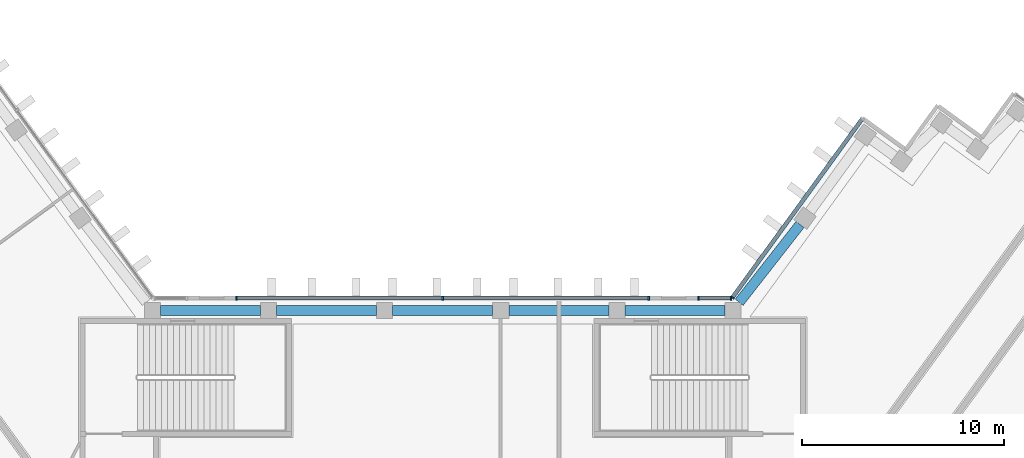
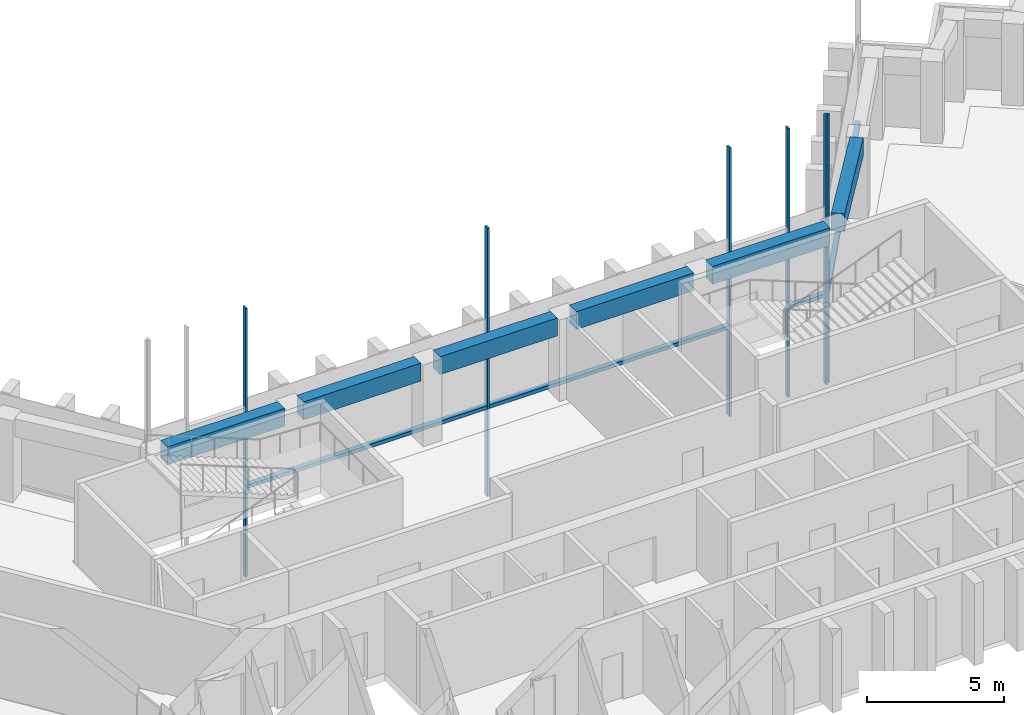
# One storey, part 3 of 12: 10 members, 6 beams, 3 elements without a shape of their own.
"""IFC4 building model written with IfcOpenShell, lengths in metres."""

from ifc_helpers import new_model, si_unit, direction, frame, origin, origin_2d, place, context, subcontext, project, spatial, rectangle, extrude, material, material_profile, profile_set, type_object, element, aggregate, save


model = new_model("IFC4")

# Units and contexts
model_context = context("Model", 3, precision=1e-05, world=origin(), true_north=direction((0.0, 1.0)))
body_context = subcontext(model_context, "Body", "Model", "MODEL_VIEW")
ifc_project = project(units=[si_unit("LENGTHUNIT", "METRE"), si_unit("AREAUNIT", "SQUARE_METRE"), si_unit("VOLUMEUNIT", "CUBIC_METRE"), si_unit("PLANEANGLEUNIT", "RADIAN"), si_unit("MASSUNIT", "GRAM", prefix="KILO")], contexts=[model_context])

# Site, building, storey
site_placement = place(None, origin())
site = spatial("IfcSite", under=ifc_project, at=site_placement, CompositionType="ELEMENT")
building_placement = place(site_placement, origin())
building = spatial("IfcBuilding", under=site, at=building_placement, Name="Quipu Civic Tower", CompositionType="ELEMENT")
storey_placement = place(building_placement, frame((0.0, 0.0, 222.0)))
storey = spatial("IfcBuildingStorey", under=building, at=storey_placement, Name="L52", CompositionType="ELEMENT", Elevation=222.0)

# Curtain wall, member
ifc_material_1 = material(Name="Insulated glass unit", Category="glass")
curtain_wall_type = type_object("IfcCurtainWallType", Name="Office curtain wall CW1", PredefinedType="NOTDEFINED", material=ifc_material_1)
curtain_wall_1_placement = place(storey_placement, origin())
curtain_wall_1 = element("IfcCurtainWall", 1, at=curtain_wall_1_placement, inside=storey, type_object=curtain_wall_type, Name="Office curtain wall CW1 L51 run 26", PredefinedType="NOTDEFINED")
ifc_material_2 = material(Name="Anodised aluminium", Category="aluminium")
ifc_material_profile_1 = material_profile(ifc_material_2, rectangle(XDim=0.199951171875, YDim=0.080078125, at=origin_2d()), Name="RECT 200x80")
ifc_profile_set_1 = profile_set([ifc_material_profile_1], Name="Anodised aluminium")
member_type_1 = type_object("IfcMemberType", Name="Mullion CW1", PredefinedType="MULLION", material=ifc_profile_set_1)
member_1_placement = place(storey_placement, frame((14.36767578125, 11.13232421875, -3.919921875), z_axis=(0.0, 0.0, 1.0), x_axis=(0.809015163947, -0.587787771652, 0.0)))
member_1 = element("IfcMember", 2, at=member_1_placement, type_object=member_type_1, Name="CW1 mullion 2", PredefinedType="MULLION", context=body_context, shape_type="SweptSolid", body=[
    extrude(rectangle(XDim=0.199951171875, YDim=0.080078125, at=origin_2d()), origin(), (0.0, 0.0, 1.0), 12.0),
])

# Curtain wall, members
curtain_wall_2_placement = place(storey_placement, origin())
curtain_wall_2 = element("IfcCurtainWall", 3, at=curtain_wall_2_placement, inside=storey, type_object=curtain_wall_type, Name="Office curtain wall CW1 L51 run 27", PredefinedType="NOTDEFINED")
member_2_placement = place(storey_placement, frame((14.30419921875, 11.10009765625, -3.919921875), z_axis=(0.0, 0.0, 1.0), x_axis=(0.0, -1.0, 0.0)))
member_2 = element("IfcMember", 4, at=member_2_placement, type_object=member_type_1, Name="CW1 mullion 1", PredefinedType="MULLION", context=body_context, shape_type="SweptSolid", body=[
    extrude(rectangle(XDim=0.199951171875, YDim=0.080078125, at=origin_2d()), origin(), (0.0, 0.0, 1.0), 12.0),
])
member_3_placement = place(storey_placement, frame((12.695068359375, 11.10009765625, -3.919921875), z_axis=(0.0, 0.0, 1.0), x_axis=(0.0, -1.0, 0.0)))
member_3 = element("IfcMember", 5, at=member_3_placement, type_object=member_type_1, Name="CW1 mullion 2", PredefinedType="MULLION", context=body_context, shape_type="SweptSolid", body=[
    extrude(rectangle(XDim=0.199951171875, YDim=0.080078125, at=origin_2d()), origin(), (0.0, 0.0, 1.0), 12.0),
])

curtain_wall_3_placement = place(storey_placement, origin())
curtain_wall_3 = element("IfcCurtainWall", 6, at=curtain_wall_3_placement, inside=storey, type_object=curtain_wall_type, Name="Office curtain wall CW1 L51 run 29", PredefinedType="NOTDEFINED")
member_4_placement = place(storey_placement, frame((10.223388671875, 11.10009765625, -3.919921875), z_axis=(0.0, 0.0, 1.0), x_axis=(0.0, -1.0, 0.0)))
member_4 = element("IfcMember", 7, at=member_4_placement, type_object=member_type_1, Name="CW1 mullion 1", PredefinedType="MULLION", context=body_context, shape_type="SweptSolid", body=[
    extrude(rectangle(XDim=0.199951171875, YDim=0.080078125, at=origin_2d()), origin(), (0.0, 0.0, 1.0), 12.0),
])
member_5_placement = place(storey_placement, frame((0.0, 11.10009765625, -3.919921875), z_axis=(0.0, 0.0, 1.0), x_axis=(0.0, -1.0, 0.0)))
member_5 = element("IfcMember", 8, at=member_5_placement, type_object=member_type_1, Name="CW1 mullion 2", PredefinedType="MULLION", context=body_context, shape_type="SweptSolid", body=[
    extrude(rectangle(XDim=0.199951171875, YDim=0.080078125, at=origin_2d()), origin(), (0.0, 0.0, 1.0), 12.0),
])
member_6_placement = place(storey_placement, frame((-10.223388671875, 11.10009765625, -3.919921875), z_axis=(0.0, 0.0, 1.0), x_axis=(0.0, -1.0, 0.0)))
member_6 = element("IfcMember", 9, at=member_6_placement, type_object=member_type_1, Name="CW1 mullion 3", PredefinedType="MULLION", context=body_context, shape_type="SweptSolid", body=[
    extrude(rectangle(XDim=0.199951171875, YDim=0.080078125, at=origin_2d()), origin(), (0.0, 0.0, 1.0), 12.0),
])

# Beams
ifc_material_3 = material(Name="Concrete C50/60", Category="concrete")
ifc_material_profile_2 = material_profile(ifc_material_3, rectangle(XDim=0.5, YDim=0.800048828125, at=origin_2d()), Name="RC500x800")
ifc_profile_set_2 = profile_set([ifc_material_profile_2], Name="Concrete C50/60")
beam_type = type_object("IfcBeamType", Name="Spandrel beam RC 500x800 C50/60", PredefinedType="SPANDREL", material=ifc_profile_set_2)
beam_placement = place(storey_placement, frame((17.72705078125, 14.759765625, 3.25), z_axis=(-0.616090612932, -0.787675286306, 0.0), x_axis=(0.787675286306, -0.616090612932, 0.0)))
element("IfcBeam", 10, at=beam_placement, inside=storey, type_object=beam_type, Name="Spandrel beam L52 E-IN-01 to J-Ei.0", PredefinedType="SPANDREL", context=body_context, shape_type="SweptSolid", body=[
    extrude(rectangle(XDim=0.5, YDim=0.800048828125, at=origin_2d()), origin(), (0.0, 0.0, 1.0), 4.900390625),
])
for number, where, z_axis, x_axis, name in (
    (11, (13.9951171875, 10.5, 3.25), (-1.0, 0.0, 0.0), (0.0, -1.0, 0.0), "Spandrel beam L52 J-Ei.0 to FRONT-01"),
    (12, (8.237060546875, 10.5, 3.25), (-1.0, 0.0, 0.0), (0.0, -1.0, 0.0), "Spandrel beam L52 FRONT-01 to FRONT-02"),
    (13, (2.47900390625, 10.5, 3.25), (-1.0, 0.0, 0.0), (0.0, -1.0, 0.0), "Spandrel beam L52 FRONT-02 to FRONT-03"),
    (14, (-3.279052734375, 10.5, 3.25), (-1.0, 0.0, 0.0), (0.0, -1.0, 0.0), "Spandrel beam L52 FRONT-03 to FRONT-04"),
    (15, (-9.037109375, 10.5, 3.25), (-1.0, 0.0, 0.0), (0.0, -1.0, 0.0), "Spandrel beam L52 FRONT-04 to J-Wi.0"),
):
    element("IfcBeam", number, at=place(storey_placement, frame(where, z_axis=z_axis, x_axis=x_axis)), inside=storey, type_object=beam_type, Name=name, PredefinedType="SPANDREL", context=body_context, shape_type="SweptSolid", body=[
        extrude(rectangle(XDim=0.5, YDim=0.800048828125, at=origin_2d()), origin(), (0.0, 0.0, 1.0), 4.9580078125),
    ])

# Member
ifc_material_4 = material(Name="Anodised aluminium", Category="aluminium")
ifc_material_profile_3 = material_profile(ifc_material_4, rectangle(XDim=0.199951171875, YDim=0.159912109375, at=origin_2d()), Name="RECT 200x160")
ifc_profile_set_3 = profile_set([ifc_material_profile_3], Name="Anodised aluminium")
member_type_2 = type_object("IfcMemberType", Name="Transom CW1", PredefinedType="USERDEFINED", material=ifc_profile_set_3)
member_7_placement = place(storey_placement, frame((20.788818359375, 19.97021484375, 0.080078125), z_axis=(-0.587796859727, -0.809008560953, 0.0), x_axis=(0.809008560953, -0.587796859727, 0.0)))
member_7 = element("IfcMember", 16, at=member_7_placement, type_object=member_type_2, Name="CW1 transom 1.2", ObjectType="TRANSOM", PredefinedType="USERDEFINED", context=body_context, shape_type="SweptSolid", body=[
    extrude(rectangle(XDim=0.199951171875, YDim=0.159912109375, at=origin_2d()), origin(), (0.0, 0.0, 1.0), 10.88427734375),
])

aggregate(curtain_wall_1, [member_1, member_7])

member_8_placement = place(storey_placement, frame((14.26416015625, 11.10009765625, 0.080078125), z_axis=(-1.0, 0.0, 0.0), x_axis=(0.0, -1.0, 0.0)))
member_8 = element("IfcMember", 17, at=member_8_placement, type_object=member_type_2, Name="CW1 transom 1.2", ObjectType="TRANSOM", PredefinedType="USERDEFINED", context=body_context, shape_type="SweptSolid", body=[
    extrude(rectangle(XDim=0.199951171875, YDim=0.159912109375, at=origin_2d()), origin(), (0.0, 0.0, 1.0), 1.529052734375),
])

aggregate(curtain_wall_2, [member_2, member_3, member_8])

member_9_placement = place(storey_placement, frame((10.18359375, 11.10009765625, 0.080078125), z_axis=(-1.0, 0.0, 0.0), x_axis=(0.0, -1.0, 0.0)))
member_9 = element("IfcMember", 18, at=member_9_placement, type_object=member_type_2, Name="CW1 transom 1.2", ObjectType="TRANSOM", PredefinedType="USERDEFINED", context=body_context, shape_type="SweptSolid", body=[
    extrude(rectangle(XDim=0.199951171875, YDim=0.159912109375, at=origin_2d()), origin(), (0.0, 0.0, 1.0), 10.1435546875),
])

member_10_placement = place(storey_placement, frame((-0.0400390625, 11.10009765625, 0.080078125), z_axis=(-1.0, 0.0, 0.0), x_axis=(0.0, -1.0, 0.0)))
member_10 = element("IfcMember", 19, at=member_10_placement, type_object=member_type_2, Name="CW1 transom 2.2", ObjectType="TRANSOM", PredefinedType="USERDEFINED", context=body_context, shape_type="SweptSolid", body=[
    extrude(rectangle(XDim=0.199951171875, YDim=0.159912109375, at=origin_2d()), origin(), (0.0, 0.0, 1.0), 10.1435546875),
])

aggregate(curtain_wall_3, [member_4, member_5, member_6, member_9, member_10])

save(model, "model.ifc")
